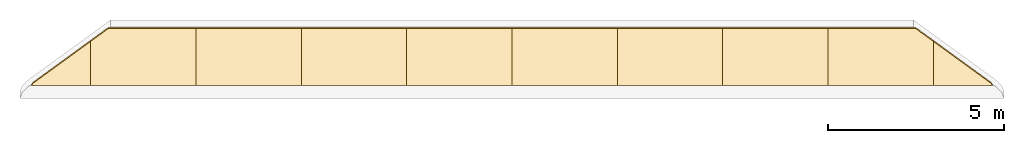
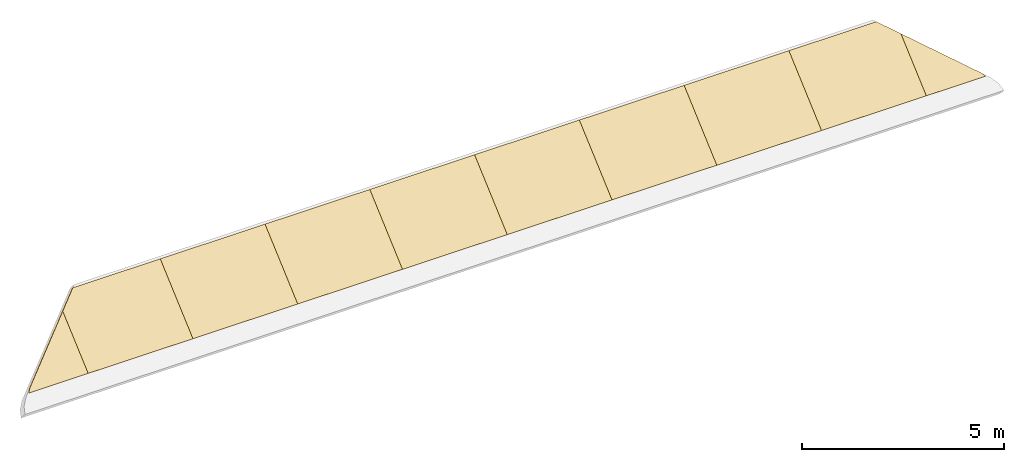
# One storey, part 2 of 2: 10 coverings.
"""IFC4 building model written with IfcOpenShell, lengths in metres."""

from ifc_helpers import new_model, si_unit, direction, frame, origin, place, context, subcontext, project, spatial, polyline, outline, extrude, material, layer, layer_set, type_object, element, save


model = new_model("IFC4")

# Units and contexts
model_context = context("Model", 3, precision=1e-05, world=origin(), true_north=direction((0.0, 1.0)))
body_context = subcontext(model_context, "Body", "Model", "MODEL_VIEW")
ifc_project = project(units=[si_unit("LENGTHUNIT", "METRE"), si_unit("AREAUNIT", "SQUARE_METRE"), si_unit("VOLUMEUNIT", "CUBIC_METRE"), si_unit("PLANEANGLEUNIT", "RADIAN"), si_unit("MASSUNIT", "GRAM", prefix="KILO")], contexts=[model_context])

# Site, building, storey
site_placement = place(None, origin())
site = spatial("IfcSite", under=ifc_project, at=site_placement, CompositionType="ELEMENT")
building_placement = place(site_placement, origin())
building = spatial("IfcBuilding", under=site, at=building_placement, Name="White Candle Pilgrim Tower", CompositionType="ELEMENT")
storey_placement = place(building_placement, frame((0.0, 0.0, 360.199951171875)))
storey = spatial("IfcBuildingStorey", under=building, at=storey_placement, Name="RF", CompositionType="ELEMENT", Elevation=360.199951171875)

# Coverings
ifc_material = material(Name="Zinc standing seam")
ifc_layer = layer(ifc_material, 0.050048828125)
ifc_layer_set = layer_set([ifc_layer], Name="Roof covering CL2 zinc standing seam 50")
covering_type = type_object("IfcCoveringType", Name="Roof covering CL2 zinc standing seam 50", PredefinedType="ROOFING", material=ifc_layer_set)
covering_1_placement = place(storey_placement, frame((58.0, 86.32861328125, 0.320068359375), z_axis=(2.6829336e-05, -0.662890766151, 0.74871612206), x_axis=(-0.99999999964, -1.7784919e-05, 2.0087557e-05)))
element("IfcCovering", 1, at=covering_1_placement, inside=storey, type_object=covering_type, Name="Roof covering 83", PredefinedType="ROOFING", context=body_context, shape_type="SweptSolid", body=[
    extrude(outline(polyline([(0.0, 0.0), (1.6958007806396702, 0.0), (1.6372070320063732, -0.09754203458731002), (0.9489746092134128, -0.7653134159335464), (0.2607421864204522, -1.4330847972797827), (-1.2166539056233168e-09, -1.6861145012438885), (0.0, 0.0)])), origin(), (0.0, 0.0, -1.0), 0.050048828125),
])
covering_2_placement = place(storey_placement, frame((61.0, 86.32861328125, 0.320068359375), z_axis=(-3.8092777e-05, -0.66296375788, 0.748651490539), x_axis=(-0.999999999274, 2.5254131e-05, -2.8518214e-05)))
element("IfcCovering", 2, at=covering_2_placement, inside=storey, type_object=covering_type, Name="Roof covering 84", PredefinedType="ROOFING", context=body_context, shape_type="SweptSolid", body=[
    extrude(outline(polyline([(0.0, 0.0), (2.9999999978234104, 0.0), (3.0000000058127405, -1.6861144888094723), (2.5058593724648968, -2.16569443730446), (-7.170275300832614e-10, -2.16569443730446), (0.0, 0.0)])), origin(), (0.0, 0.0, -1.0), 0.050048828125),
])
for number, where, z_axis, x_axis, name in (
    (3, (64.0, 86.32861328125, 0.320068359375), (0.0, -0.66297026526, 0.748645728888), (-1.0, 0.0, 0.0), "Roof covering 85"),
    (4, (67.0, 86.32861328125, 0.320068359375), (0.0, -0.66297026526, 0.748645728888), (-1.0, 0.0, 0.0), "Roof covering 86"),
    (5, (70.0, 86.32861328125, 0.320068359375), (0.0, -0.66297026526, 0.748645728888), (-1.0, 0.0, 0.0), "Roof covering 87"),
    (6, (73.0, 86.32861328125, 0.320068359375), (0.0, -0.66297026526, 0.748645728888), (-1.0, 0.0, 0.0), "Roof covering 88"),
    (7, (76.0, 86.32861328125, 0.320068359375), (0.0, -0.66297026526, 0.748645728888), (-1.0, 0.0, 0.0), "Roof covering 89"),
    (8, (79.0, 86.32861328125, 0.320068359375), (0.0, -0.66297026526, 0.748645728888), (-1.0, 0.0, 0.0), "Roof covering 90"),
):
    element("IfcCovering", number, at=place(storey_placement, frame(where, z_axis=z_axis, x_axis=x_axis)), inside=storey, type_object=covering_type, Name=name, PredefinedType="ROOFING", context=body_context, shape_type="SweptSolid", body=[
        extrude(outline(polyline([(0.0, 0.0), (3.0, 0.0), (3.0, -2.1656944373862608), (0.0, -2.1656944373862608), (0.0, 0.0)])), origin(), (0.0, 0.0, -1.0), 0.050048828125),
    ])
covering_3_placement = place(storey_placement, frame((82.0, 86.32861328125, 0.320068359375), z_axis=(3.8092777e-05, -0.66296375788, 0.748651490539), x_axis=(-0.999999999274, -2.5254131e-05, 2.8518214e-05)))
element("IfcCovering", 9, at=covering_3_placement, inside=storey, type_object=covering_type, Name="Roof covering 91", PredefinedType="ROOFING", context=body_context, shape_type="SweptSolid", body=[
    extrude(outline(polyline([(0.0, 0.0), (2.9999999978234104, 0.0), (2.9999999985404378, -2.16569443730446), (0.4941406253585137, -2.16569443730446), (-7.989330463582626e-09, -1.6861144888094723), (0.0, 0.0)])), origin(), (0.0, 0.0, -1.0), 0.050048828125),
])
covering_4_placement = place(storey_placement, frame((82.0, 86.32861328125, 0.320068359375), z_axis=(-2.6829336e-05, -0.662890766151, 0.74871612206), x_axis=(-7.22e-10, 0.748716122329, 0.662890766389)))
element("IfcCovering", 10, at=covering_4_placement, inside=storey, type_object=covering_type, Name="Roof covering 92", PredefinedType="ROOFING", context=body_context, shape_type="SweptSolid", body=[
    extrude(outline(polyline([(0.0, 0.0), (1.6861145012438885, 0.0), (1.4330847970916385, -0.2607421874545268), (0.7653134152487924, -0.9489746097656416), (0.09754203340594639, -1.6372070320767564), (-1.2236432587466714e-09, -1.6958007806396698), (0.0, 0.0)])), origin(), (0.0, 0.0, -1.0), 0.050048828125),
])

save(model, "model.ifc")
